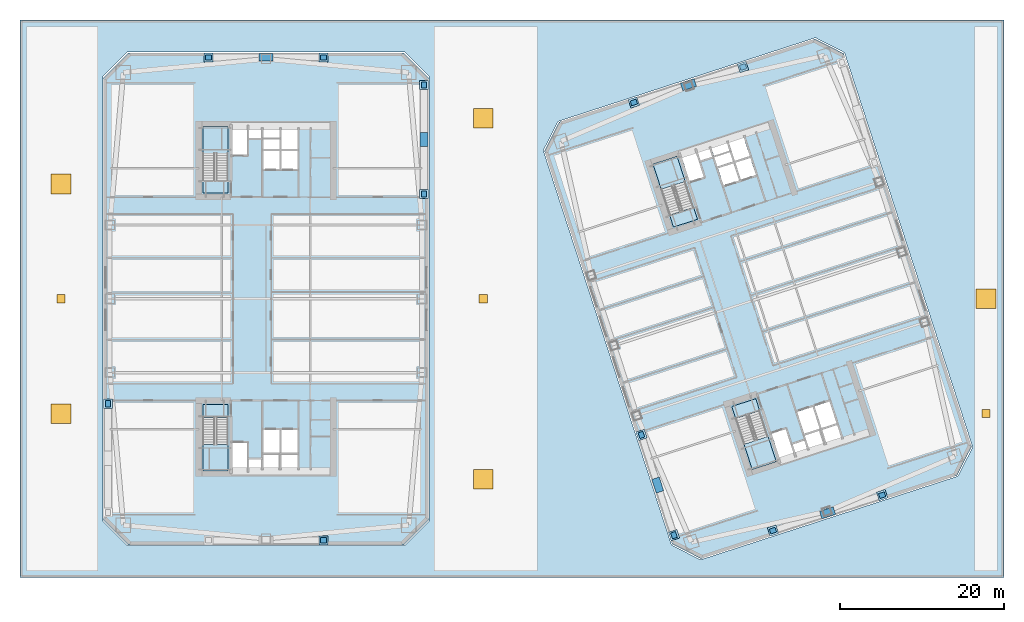
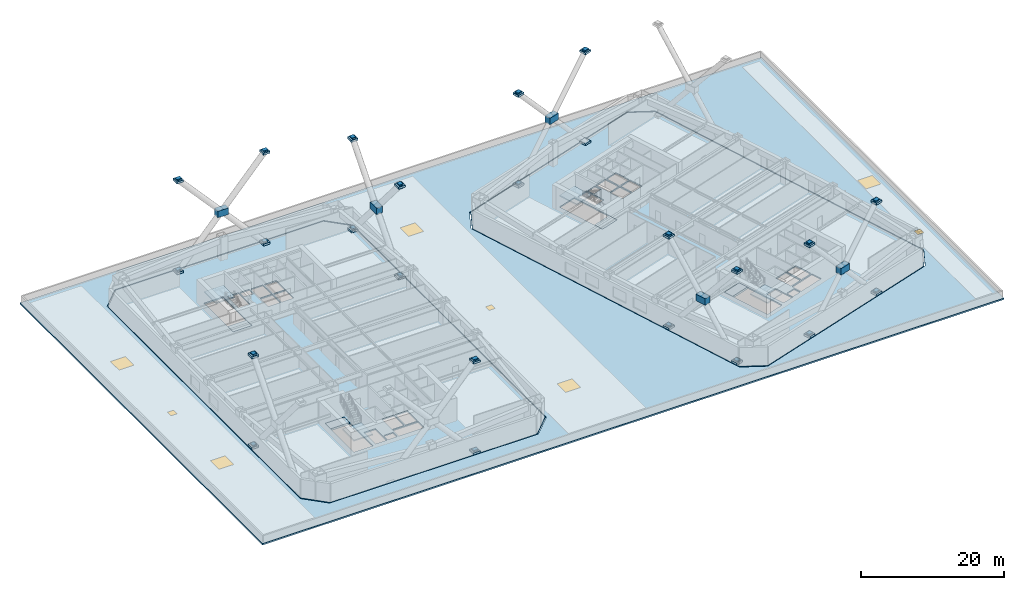
# One storey, part 3 of 20: 52 plates, 11 slabs, 5 windows, 3 doors, 8 openings, 4 elements without a shape of their own.
"""IFC4 building model written with IfcOpenShell, lengths in metres."""

from ifc_helpers import new_model, si_unit, direction, frame, origin, origin_2d, place, context, subcontext, project, spatial, polyline, rectangle, outline, extrude, material, layer, layer_set, type_object, element, fill, aggregate, save


model = new_model("IFC4")

# Units and contexts
model_context = context("Model", 3, precision=1e-05, world=origin(), true_north=direction((0.0, 1.0)))
body_context = subcontext(model_context, "Body", "Model", "MODEL_VIEW")
ifc_project = project(units=[si_unit("LENGTHUNIT", "METRE"), si_unit("AREAUNIT", "SQUARE_METRE"), si_unit("VOLUMEUNIT", "CUBIC_METRE"), si_unit("PLANEANGLEUNIT", "RADIAN"), si_unit("MASSUNIT", "GRAM", prefix="KILO")], contexts=[model_context])

# Site, building, storey
site_placement = place(None, origin())
site = spatial("IfcSite", under=ifc_project, at=site_placement, CompositionType="ELEMENT")
building_placement = place(site_placement, origin())
building = spatial("IfcBuilding", under=site, at=building_placement, Name="Qiaolan Cultural Towers", CompositionType="ELEMENT")
storey_placement = place(building_placement, frame((0.0, 0.0, 26.0)))
storey = spatial("IfcBuildingStorey", under=building, at=storey_placement, Name="L05", CompositionType="ELEMENT", Elevation=26.0)

# Plates
ifc_material_1 = material(Name="Steel Q355B", Category="steel")
ifc_layer_1 = layer(ifc_material_1, 0.035888671875)
ifc_layer_set_1 = layer_set([ifc_layer_1], Name="Steel Q355B")
plate_type_1 = type_object("IfcPlateType", Name="PL-CONN-36", PredefinedType="USERDEFINED", material=ifc_layer_set_1)
for number, where, z_axis, x_axis, name in (
    (1, (10.75, 21.199951171875, 15.330078125), (0.0, 0.0, 1.0), (0.0, 1.0, 0.0), "L05 Brace End Connection Gusset Plate GP-02-0197"),
    (2, (10.75, 21.199951171875, -0.22021484375), (0.0, 0.0, 1.0), (0.0, 1.0, 0.0), "L05 Brace End Connection Gusset Plate GP-02-0198"),
    (3, (49.25, 46.800048828125, -0.22021484375), (0.0, 0.0, 1.0), (0.0, 1.0, 0.0), "L05 Brace End Connection Gusset Plate GP-02-0200"),
    (4, (49.25, 60.050048828125, 15.330078125), (0.0, 0.0, 1.0), (0.0, 1.0, 0.0), "L05 Brace End Connection Gusset Plate GP-02-0201"),
    (5, (49.25, 60.050048828125, -0.22021484375), (0.0, 0.0, 1.0), (0.0, 1.0, 0.0), "L05 Brace End Connection Gusset Plate GP-02-0202"),
    (6, (49.25, 46.800048828125, 15.330078125), (0.0, 0.0, 1.0), (0.0, 1.0, 0.0), "L05 Brace End Connection Gusset Plate GP-02-0203"),
    (7, (37.0, 4.550048828125, 15.330078125), (0.0, 0.0, 1.0), (1.0, 0.0, 0.0), "L05 Brace End Connection Gusset Plate GP-02-0205"),
    (8, (37.0, 4.550048828125, -0.22021484375), (0.0, 0.0, 1.0), (1.0, 0.0, 0.0), "L05 Brace End Connection Gusset Plate GP-02-0206"),
    (9, (23.0, 63.449951171875, -0.22021484375), (0.0, 0.0, 1.0), (1.0, 0.0, 0.0), "L05 Brace End Connection Gusset Plate GP-02-0208"),
    (10, (37.0, 63.449951171875, 15.330078125), (0.0, 0.0, 1.0), (1.0, 0.0, 0.0), "L05 Brace End Connection Gusset Plate GP-02-0209"),
    (11, (37.0, 63.449951171875, -0.22021484375), (0.0, 0.0, 1.0), (1.0, 0.0, 0.0), "L05 Brace End Connection Gusset Plate GP-02-0210"),
    (12, (23.0, 63.449951171875, 15.330078125), (0.0, 0.0, 1.0), (1.0, 0.0, 0.0), "L05 Brace End Connection Gusset Plate GP-02-0211"),
    (13, (79.75634765625, 5.173828125, -0.22021484375), (0.0, 0.0, 1.0), (-0.309016977776, 0.951056521689, 0.0), "L05 Brace End Connection Gusset Plate GP-02-0420"),
    (14, (75.78564453125, 17.394775390625, 15.330078125), (0.0, 0.0, 1.0), (-0.309016977776, 0.951056521689, 0.0), "L05 Brace End Connection Gusset Plate GP-02-0421"),
    (15, (75.78564453125, 17.394775390625, -0.22021484375), (0.0, 0.0, 1.0), (-0.309016977776, 0.951056521689, 0.0), "L05 Brace End Connection Gusset Plate GP-02-0422"),
    (16, (79.75634765625, 5.173828125, 15.330078125), (0.0, 0.0, 1.0), (-0.309016977776, 0.951056521689, 0.0), "L05 Brace End Connection Gusset Plate GP-02-0423"),
    (17, (91.8251953125, 5.73046875, -0.22021484375), (0.0, 0.0, 1.0), (0.951056510902, 0.309017010974, 0.0), "L05 Brace End Connection Gusset Plate GP-02-0428"),
    (18, (105.139892578125, 10.056640625, 15.330078125), (0.0, 0.0, 1.0), (0.951056510902, 0.309017010974, 0.0), "L05 Brace End Connection Gusset Plate GP-02-0429"),
    (19, (105.139892578125, 10.056640625, -0.22021484375), (0.0, 0.0, 1.0), (0.951056510902, 0.309017010974, 0.0), "L05 Brace End Connection Gusset Plate GP-02-0430"),
    (20, (91.8251953125, 5.73046875, 15.330078125), (0.0, 0.0, 1.0), (0.951056510902, 0.309017010974, 0.0), "L05 Brace End Connection Gusset Plate GP-02-0431"),
    (21, (74.860107421875, 57.943359375, -0.22021484375), (0.0, 0.0, 1.0), (0.951056510902, 0.309017010974, 0.0), "L05 Brace End Connection Gusset Plate GP-02-0432"),
    (22, (88.1748046875, 62.26953125, 15.330078125), (0.0, 0.0, 1.0), (0.951056510902, 0.309017010974, 0.0), "L05 Brace End Connection Gusset Plate GP-02-0433"),
    (23, (74.860107421875, 57.943359375, 15.330078125), (0.0, 0.0, 1.0), (0.951056510902, 0.309017010974, 0.0), "L05 Brace End Connection Gusset Plate GP-02-0435"),
):
    element("IfcPlate", number, at=place(storey_placement, frame(where, z_axis=z_axis, x_axis=x_axis)), inside=storey, type_object=plate_type_1, Name=name, ObjectType="GUSSET_PLATE", PredefinedType="USERDEFINED", context=body_context, shape_type="SweptSolid", body=[
        extrude(rectangle(XDim=0.739990234375, YDim=0.6201171875, at=origin_2d()), origin(), (0.0, 0.0, 1.0), 0.739990234375),
    ])
ifc_material_2 = material(Name="Steel Q355B", Category="steel")
ifc_layer_2 = layer(ifc_material_2, 0.030029296875)
ifc_layer_set_2 = layer_set([ifc_layer_2], Name="Steel Q355B")
plate_type_2 = type_object("IfcPlateType", Name="PL-ENDCAP-30", PredefinedType="USERDEFINED", material=ifc_layer_set_2)
for number, where, z_axis, x_axis, name in (
    (24, (10.75, 21.199951171875, -0.025146484375), (0.0, 0.0, 1.0), (0.0, 1.0, 0.0), "Hollow Brace End Seal Cap Plate CP-01"),
    (25, (10.75, 21.199951171875, 15.52490234375), (0.0, 0.0, 1.0), (0.0, 1.0, 0.0), "Hollow Brace End Seal Cap Plate CP-01"),
    (26, (49.25, 46.800048828125, -0.025146484375), (0.0, 0.0, 1.0), (0.0, 1.0, 0.0), "Hollow Brace End Seal Cap Plate CP-01"),
    (27, (49.25, 60.050048828125, -0.025146484375), (0.0, 0.0, 1.0), (0.0, 1.0, 0.0), "Hollow Brace End Seal Cap Plate CP-01"),
    (28, (49.25, 46.800048828125, 15.52490234375), (0.0, 0.0, 1.0), (0.0, 1.0, 0.0), "Hollow Brace End Seal Cap Plate CP-01"),
    (29, (49.25, 60.050048828125, 15.52490234375), (0.0, 0.0, 1.0), (0.0, 1.0, 0.0), "Hollow Brace End Seal Cap Plate CP-01"),
    (30, (37.0, 4.550048828125, -0.025146484375), (0.0, 0.0, 1.0), (1.0, 0.0, 0.0), "Hollow Brace End Seal Cap Plate CP-01"),
    (31, (37.0, 4.550048828125, 15.52490234375), (0.0, 0.0, 1.0), (1.0, 0.0, 0.0), "Hollow Brace End Seal Cap Plate CP-01"),
    (32, (23.0, 63.449951171875, -0.025146484375), (0.0, 0.0, 1.0), (1.0, 0.0, 0.0), "Hollow Brace End Seal Cap Plate CP-01"),
    (33, (37.0, 63.449951171875, -0.025146484375), (0.0, 0.0, 1.0), (1.0, 0.0, 0.0), "Hollow Brace End Seal Cap Plate CP-01"),
    (34, (23.0, 63.449951171875, 15.52490234375), (0.0, 0.0, 1.0), (1.0, 0.0, 0.0), "Hollow Brace End Seal Cap Plate CP-01"),
    (35, (37.0, 63.449951171875, 15.52490234375), (0.0, 0.0, 1.0), (1.0, 0.0, 0.0), "Hollow Brace End Seal Cap Plate CP-01"),
    (36, (79.75634765625, 5.173828125, -0.025146484375), (0.0, 0.0, 1.0), (-0.309016994375, 0.951056516295, 0.0), "Hollow Brace End Seal Cap Plate CP-01"),
    (37, (75.78564453125, 17.394775390625, -0.025146484375), (0.0, 0.0, 1.0), (-0.309016994375, 0.951056516295, 0.0), "Hollow Brace End Seal Cap Plate CP-01"),
    (38, (79.75634765625, 5.173828125, 15.52490234375), (0.0, 0.0, 1.0), (-0.309016994375, 0.951056516295, 0.0), "Hollow Brace End Seal Cap Plate CP-01"),
    (39, (75.78564453125, 17.394775390625, 15.52490234375), (0.0, 0.0, 1.0), (-0.309016994375, 0.951056516295, 0.0), "Hollow Brace End Seal Cap Plate CP-01"),
    (40, (91.8251953125, 5.73046875, -0.025146484375), (0.0, 0.0, 1.0), (0.951056516295, 0.309016994375, 0.0), "Hollow Brace End Seal Cap Plate CP-01"),
    (41, (105.139892578125, 10.056640625, -0.025146484375), (0.0, 0.0, 1.0), (0.951056516295, 0.309016994375, 0.0), "Hollow Brace End Seal Cap Plate CP-01"),
    (42, (91.8251953125, 5.73046875, 15.52490234375), (0.0, 0.0, 1.0), (0.951056516295, 0.309016994375, 0.0), "Hollow Brace End Seal Cap Plate CP-01"),
    (43, (105.139892578125, 10.056640625, 15.52490234375), (0.0, 0.0, 1.0), (0.951056516295, 0.309016994375, 0.0), "Hollow Brace End Seal Cap Plate CP-01"),
    (44, (74.860107421875, 57.943359375, -0.025146484375), (0.0, 0.0, 1.0), (0.951056516295, 0.309016994375, 0.0), "Hollow Brace End Seal Cap Plate CP-01"),
    (45, (88.1748046875, 62.26953125, -0.025146484375), (0.0, 0.0, 1.0), (0.951056516295, 0.309016994375, 0.0), "Hollow Brace End Seal Cap Plate CP-01"),
    (46, (74.860107421875, 57.943359375, 15.52490234375), (0.0, 0.0, 1.0), (0.951056516295, 0.309016994375, 0.0), "Hollow Brace End Seal Cap Plate CP-01"),
    (47, (88.1748046875, 62.26953125, 15.52490234375), (0.0, 0.0, 1.0), (0.951056516295, 0.309016994375, 0.0), "Hollow Brace End Seal Cap Plate CP-01"),
):
    element("IfcPlate", number, at=place(storey_placement, frame(where, z_axis=z_axis, x_axis=x_axis)), inside=storey, type_object=plate_type_2, Name=name, ObjectType="BASE_PLATE", PredefinedType="USERDEFINED", context=body_context, shape_type="SweptSolid", body=[
        extrude(rectangle(XDim=1.10009765625, YDim=1.10009765625, at=origin_2d()), origin(), (0.0, 0.0, 1.0), 0.35009765625),
    ])
ifc_material_3 = material(Name="Steel Q390GJB", Category="steel")
ifc_layer_3 = layer(ifc_material_3, 0.0419921875)
ifc_layer_set_3 = layer_set([ifc_layer_3], Name="Steel Q390GJB")
plate_type_3 = type_object("IfcPlateType", Name="PL-NODE-ND01", PredefinedType="USERDEFINED", material=ifc_layer_set_3)
plate_1_placement = place(storey_placement, frame((81.517578125, 60.1064453125, 7.375), z_axis=(0.0, 0.0, 1.0), x_axis=(0.951056516295, 0.309016994375, 0.0)))
element("IfcPlate", 48, at=plate_1_placement, inside=storey, type_object=plate_type_3, Name="Perimeter Frame Gusset Node Assembly ND-01", ObjectType="GUSSET_PLATE", PredefinedType="USERDEFINED", context=body_context, shape_type="SweptSolid", body=[
    extrude(rectangle(XDim=1.760009765625, YDim=0.9599609375, at=origin_2d()), origin(), (0.0, 0.0, 1.0), 1.10009765625),
])
ifc_material_4 = material(Name="Steel Q390GJB", Category="steel")
ifc_layer_4 = layer(ifc_material_4, 0.0458984375)
ifc_layer_set_4 = layer_set([ifc_layer_4], Name="Steel Q390GJB")
plate_type_4 = type_object("IfcPlateType", Name="PL-NODE-ND03", PredefinedType="USERDEFINED", material=ifc_layer_set_4)
plate_2_placement = place(storey_placement, frame((49.25, 53.425048828125, 7.375), z_axis=(0.0, 0.0, 1.0), x_axis=(0.0, 1.0, 0.0)))
element("IfcPlate", 49, at=plate_2_placement, inside=storey, type_object=plate_type_4, Name="Perimeter Frame Gusset Node Assembly ND-03", ObjectType="GUSSET_PLATE", PredefinedType="USERDEFINED", context=body_context, shape_type="SweptSolid", body=[
    extrude(rectangle(XDim=1.760009765625, YDim=0.9599609375, at=origin_2d()), origin(), (0.0, 0.0, 1.0), 1.10009765625),
])
ifc_material_5 = material(Name="Steel Q390GJB", Category="steel")
ifc_layer_5 = layer(ifc_material_5, 0.0419921875)
ifc_layer_set_5 = layer_set([ifc_layer_5], Name="Steel Q390GJB")
plate_type_5 = type_object("IfcPlateType", Name="PL-NODE-ND05", PredefinedType="USERDEFINED", material=ifc_layer_set_5)
plate_3_placement = place(storey_placement, frame((30.0, 63.449951171875, 7.375), z_axis=(0.0, 0.0, 1.0), x_axis=(1.0, 0.0, 0.0)))
element("IfcPlate", 50, at=plate_3_placement, inside=storey, type_object=plate_type_5, Name="Perimeter Frame Gusset Node Assembly ND-05", ObjectType="GUSSET_PLATE", PredefinedType="USERDEFINED", context=body_context, shape_type="SweptSolid", body=[
    extrude(rectangle(XDim=1.760009765625, YDim=0.9599609375, at=origin_2d()), origin(), (0.0, 0.0, 1.0), 1.10009765625),
])
ifc_material_6 = material(Name="Steel Q390GJB", Category="steel")
ifc_layer_6 = layer(ifc_material_6, 0.0439453125)
ifc_layer_set_6 = layer_set([ifc_layer_6], Name="Steel Q390GJB")
plate_type_6 = type_object("IfcPlateType", Name="PL-NODE-ND10", PredefinedType="USERDEFINED", material=ifc_layer_set_6)
plate_4_placement = place(storey_placement, frame((77.77099609375, 11.2841796875, 7.375), z_axis=(0.0, 0.0, 1.0), x_axis=(-0.309016994375, 0.951056516295, 0.0)))
element("IfcPlate", 51, at=plate_4_placement, inside=storey, type_object=plate_type_6, Name="Perimeter Frame Gusset Node Assembly ND-10", ObjectType="GUSSET_PLATE", PredefinedType="USERDEFINED", context=body_context, shape_type="SweptSolid", body=[
    extrude(rectangle(XDim=1.760009765625, YDim=0.9599609375, at=origin_2d()), origin(), (0.0, 0.0, 1.0), 1.10009765625),
])
ifc_material_7 = material(Name="Steel Q390GJB", Category="steel")
ifc_layer_7 = layer(ifc_material_7, 0.0400390625)
ifc_layer_set_7 = layer_set([ifc_layer_7], Name="Steel Q390GJB")
plate_type_7 = type_object("IfcPlateType", Name="PL-NODE-ND12", PredefinedType="USERDEFINED", material=ifc_layer_set_7)
plate_5_placement = place(storey_placement, frame((98.482421875, 7.8935546875, 7.375), z_axis=(0.0, 0.0, 1.0), x_axis=(0.951056516295, 0.309016994375, 0.0)))
element("IfcPlate", 52, at=plate_5_placement, inside=storey, type_object=plate_type_7, Name="Perimeter Frame Gusset Node Assembly ND-12", ObjectType="GUSSET_PLATE", PredefinedType="USERDEFINED", context=body_context, shape_type="SweptSolid", body=[
    extrude(rectangle(XDim=1.760009765625, YDim=0.9599609375, at=origin_2d()), origin(), (0.0, 0.0, 1.0), 1.10009765625),
])

# Slab, openings, doors, windows
ifc_material_8 = material(Name="Concrete C45", Category="concrete")
ifc_layer_8 = layer(ifc_material_8, 0.25)
ifc_layer_set_8 = layer_set([ifc_layer_8], Name="Concrete C45")
slab_type_1 = type_object("IfcSlabType", Name="SL-POD-ROOF-250", PredefinedType="ROOF", material=ifc_layer_set_8)
slab_1_placement = place(storey_placement, frame((0.0, 0.0, -0.25)))
slab_1 = element("IfcSlab", 53, at=slab_1_placement, inside=storey, type_object=slab_type_1, Name="Podium Main Roof Deck Slab", PredefinedType="ROOF", context=body_context, shape_type="SweptSolid", body=[
    extrude(outline(polyline([(0.0, 0.0), (120.0, 0.0), (120.0, 68.0), (0.0, 68.0), (0.0, 0.0)]), holes=[polyline([(10.10009765625, 6.89990234375), (10.10009765625, 61.10009765625), (13.10009765625, 64.10009765625), (46.89990234375, 64.10009765625), (49.89990234375, 61.10009765625), (49.89990234375, 6.89990234375), (46.89990234375, 3.89990234375), (13.10009765625, 3.89990234375), (10.10009765625, 6.89990234375)]), polyline([(79.462646484375, 3.97412109375), (63.826416015625, 52.09765625), (65.624267578125, 55.6259765625), (97.009033203125, 65.823486328125), (100.537353515625, 64.02587890625), (116.173583984375, 15.90234375), (114.375732421875, 12.3740234375), (82.990966796875, 2.176513671875), (79.462646484375, 3.97412109375)])]), origin(), (0.0, 0.0, 1.0), 0.25),
])
opening_1_placement = place(slab_1_placement, frame((56.5, 12.0, 0.0)))
opening_1 = element("IfcOpeningElement", 54, at=opening_1_placement, cuts=slab_1, Name="Opening SK-01", PredefinedType="OPENING", context=body_context, shape_type="SweptSolid", body=[
    extrude(rectangle(XDim=2.39990234375, YDim=2.39990234375, at=origin_2d()), origin(), (0.0, 0.0, 1.0), 0.25),
])
opening_2_placement = place(slab_1_placement, frame((56.5, 56.0, 0.0)))
opening_2 = element("IfcOpeningElement", 55, at=opening_2_placement, cuts=slab_1, Name="Opening SK-01", PredefinedType="OPENING", context=body_context, shape_type="SweptSolid", body=[
    extrude(rectangle(XDim=2.39990234375, YDim=2.39990234375, at=origin_2d()), origin(), (0.0, 0.0, 1.0), 0.25),
])
opening_3_placement = place(slab_1_placement, frame((5.0, 20.0, 0.0)))
opening_3 = element("IfcOpeningElement", 56, at=opening_3_placement, cuts=slab_1, Name="Opening SK-01", PredefinedType="OPENING", context=body_context, shape_type="SweptSolid", body=[
    extrude(rectangle(XDim=2.39990234375, YDim=2.39990234375, at=origin_2d()), origin(), (0.0, 0.0, 1.0), 0.25),
])
opening_4_placement = place(slab_1_placement, frame((5.0, 48.0, 0.0)))
opening_4 = element("IfcOpeningElement", 57, at=opening_4_placement, cuts=slab_1, Name="Opening SK-01", PredefinedType="OPENING", context=body_context, shape_type="SweptSolid", body=[
    extrude(rectangle(XDim=2.39990234375, YDim=2.39990234375, at=origin_2d()), origin(), (0.0, 0.0, 1.0), 0.25),
])
opening_5_placement = place(slab_1_placement, frame((117.800048828125, 34.0, 0.0)))
opening_5 = element("IfcOpeningElement", 58, at=opening_5_placement, cuts=slab_1, Name="Opening SK-01", PredefinedType="OPENING", context=body_context, shape_type="SweptSolid", body=[
    extrude(rectangle(XDim=2.39990234375, YDim=2.39990234375, at=origin_2d()), origin(), (0.0, 0.0, 1.0), 0.25),
])
opening_6_placement = place(slab_1_placement, frame((5.0, 34.0, 0.0)))
opening_6 = element("IfcOpeningElement", 59, at=opening_6_placement, cuts=slab_1, Name="Opening RH-01", PredefinedType="OPENING", context=body_context, shape_type="SweptSolid", body=[
    extrude(rectangle(XDim=1.0, YDim=1.0, at=origin_2d()), origin(), (0.0, 0.0, 1.0), 0.25),
])
opening_7_placement = place(slab_1_placement, frame((56.5, 34.0, 0.0)))
opening_7 = element("IfcOpeningElement", 60, at=opening_7_placement, cuts=slab_1, Name="Opening RH-02", PredefinedType="OPENING", context=body_context, shape_type="SweptSolid", body=[
    extrude(rectangle(XDim=1.0, YDim=1.0, at=origin_2d()), origin(), (0.0, 0.0, 1.0), 0.25),
])
opening_8_placement = place(slab_1_placement, frame((117.800048828125, 20.0, 0.0)))
opening_8 = element("IfcOpeningElement", 61, at=opening_8_placement, cuts=slab_1, Name="Opening RH-03", PredefinedType="OPENING", context=body_context, shape_type="SweptSolid", body=[
    extrude(rectangle(XDim=1.0, YDim=1.0, at=origin_2d()), origin(), (0.0, 0.0, 1.0), 0.25),
])
ifc_material_9 = material(Name="Insulated Aluminium Roof Access Hatch", Category="aluminium")
door_type = type_object("IfcDoorType", Name="DR-HATCH-1000", OperationType="NOTDEFINED", PredefinedType="TRAPDOOR", material=ifc_material_9)
door_1_placement = place(opening_6_placement, frame((0.0, 0.0, 0.199951171875)))
door_1 = element("IfcDoor", 62, at=door_1_placement, inside=storey, type_object=door_type, Name="Podium Maintenance Roof Access Hatch RH-01", OperationType="SINGLE_SWING_LEFT", OverallHeight=1.0, OverallWidth=1.0, PredefinedType="TRAPDOOR", context=body_context, shape_type="SweptSolid", body=[
    extrude(rectangle(XDim=1.0, YDim=1.0, at=origin_2d()), origin(), (0.0, 0.0, 1.0), 0.050048828125),
])
fill(opening_6, door_1)
door_2_placement = place(opening_7_placement, frame((0.0, 0.0, 0.199951171875)))
door_2 = element("IfcDoor", 63, at=door_2_placement, inside=storey, type_object=door_type, Name="Podium Maintenance Roof Access Hatch RH-02", OperationType="SINGLE_SWING_LEFT", OverallHeight=1.0, OverallWidth=1.0, PredefinedType="TRAPDOOR", context=body_context, shape_type="SweptSolid", body=[
    extrude(rectangle(XDim=1.0, YDim=1.0, at=origin_2d()), origin(), (0.0, 0.0, 1.0), 0.050048828125),
])
fill(opening_7, door_2)
door_3_placement = place(opening_8_placement, frame((0.0, 0.0, 0.199951171875)))
door_3 = element("IfcDoor", 64, at=door_3_placement, inside=storey, type_object=door_type, Name="Podium Maintenance Roof Access Hatch RH-03", OperationType="SINGLE_SWING_LEFT", OverallHeight=1.0, OverallWidth=1.0, PredefinedType="TRAPDOOR", context=body_context, shape_type="SweptSolid", body=[
    extrude(rectangle(XDim=1.0, YDim=1.0, at=origin_2d()), origin(), (0.0, 0.0, 1.0), 0.050048828125),
])
fill(opening_8, door_3)
ifc_material_10 = material(Name="Thermally Broken Aluminium Triple Low-E Glazing", Category="aluminium")
window_type = type_object("IfcWindowType", Name="WN-SKYLIGHT", PartitioningType="SINGLE_PANEL", PredefinedType="SKYLIGHT", material=ifc_material_10)
window_1_placement = place(opening_1_placement, frame((0.0, 0.0, 0.199951171875)))
window_1 = element("IfcWindow", 65, at=window_1_placement, inside=storey, type_object=window_type, Name="Podium Concourse Laminated Roof Skylight SK-01", OverallHeight=2.39990234375, OverallWidth=2.39990234375, PartitioningType="SINGLE_PANEL", PredefinedType="SKYLIGHT", context=body_context, shape_type="SweptSolid", body=[
    extrude(rectangle(XDim=2.39990234375, YDim=2.39990234375, at=origin_2d()), origin(), (0.0, 0.0, 1.0), 0.050048828125),
])
fill(opening_1, window_1)
window_2_placement = place(opening_2_placement, frame((0.0, 0.0, 0.199951171875)))
window_2 = element("IfcWindow", 66, at=window_2_placement, inside=storey, type_object=window_type, Name="Podium Concourse Laminated Roof Skylight SK-02", OverallHeight=2.39990234375, OverallWidth=2.39990234375, PartitioningType="SINGLE_PANEL", PredefinedType="SKYLIGHT", context=body_context, shape_type="SweptSolid", body=[
    extrude(rectangle(XDim=2.39990234375, YDim=2.39990234375, at=origin_2d()), origin(), (0.0, 0.0, 1.0), 0.050048828125),
])
fill(opening_2, window_2)
window_3_placement = place(opening_3_placement, frame((0.0, 0.0, 0.199951171875)))
window_3 = element("IfcWindow", 67, at=window_3_placement, inside=storey, type_object=window_type, Name="Podium Concourse Laminated Roof Skylight SK-03", OverallHeight=2.39990234375, OverallWidth=2.39990234375, PartitioningType="SINGLE_PANEL", PredefinedType="SKYLIGHT", context=body_context, shape_type="SweptSolid", body=[
    extrude(rectangle(XDim=2.39990234375, YDim=2.39990234375, at=origin_2d()), origin(), (0.0, 0.0, 1.0), 0.050048828125),
])
fill(opening_3, window_3)
window_4_placement = place(opening_4_placement, frame((0.0, 0.0, 0.199951171875)))
window_4 = element("IfcWindow", 68, at=window_4_placement, inside=storey, type_object=window_type, Name="Podium Concourse Laminated Roof Skylight SK-04", OverallHeight=2.39990234375, OverallWidth=2.39990234375, PartitioningType="SINGLE_PANEL", PredefinedType="SKYLIGHT", context=body_context, shape_type="SweptSolid", body=[
    extrude(rectangle(XDim=2.39990234375, YDim=2.39990234375, at=origin_2d()), origin(), (0.0, 0.0, 1.0), 0.050048828125),
])
fill(opening_4, window_4)
window_5_placement = place(opening_5_placement, frame((0.0, 0.0, 0.199951171875)))
window_5 = element("IfcWindow", 69, at=window_5_placement, inside=storey, type_object=window_type, Name="Podium Concourse Laminated Roof Skylight SK-05", OverallHeight=2.39990234375, OverallWidth=2.39990234375, PartitioningType="SINGLE_PANEL", PredefinedType="SKYLIGHT", context=body_context, shape_type="SweptSolid", body=[
    extrude(rectangle(XDim=2.39990234375, YDim=2.39990234375, at=origin_2d()), origin(), (0.0, 0.0, 1.0), 0.050048828125),
])
fill(opening_5, window_5)

# Stair, slab
ifc_material_11 = material(Name="Concrete C45", Category="concrete")
stair_type = type_object("IfcStairType", Name="STR-CORE-1500", PredefinedType="HALF_TURN_STAIR", material=ifc_material_11)
stair_1_placement = place(storey_placement, origin())
stair_1 = element("IfcStair", 70, at=stair_1_placement, inside=storey, type_object=stair_type, Name="L05 Smokeproof Exit Stair ST-W1", PredefinedType="HALF_TURN_STAIR")
ifc_material_12 = material(Name="Concrete C45", Category="concrete")
ifc_layer_9 = layer(ifc_material_12, 0.199951171875)
ifc_layer_set_9 = layer_set([ifc_layer_9], Name="Concrete C45")
slab_type_2 = type_object("IfcSlabType", Name="SL-STAIR-LAND", PredefinedType="LANDING", material=ifc_layer_set_9)
slab_2_placement = place(storey_placement, frame((0.0, 0.0, 1.800048828125)))
slab_2 = element("IfcSlab", 71, at=slab_2_placement, type_object=slab_type_2, Name="ST-W1 landing 1", PredefinedType="LANDING", context=body_context, shape_type="SweptSolid", body=[
    extrude(outline(polyline([(22.300048828125, 16.251220703125), (22.300048828125, 13.0), (25.3798828125, 13.0), (25.3798828125, 16.251220703125), (22.300048828125, 16.251220703125)])), origin(), (0.0, 0.0, 1.0), 0.199951171875),
])
aggregate(stair_1, [slab_2])

stair_2_placement = place(storey_placement, origin())
stair_2 = element("IfcStair", 72, at=stair_2_placement, inside=storey, type_object=stair_type, Name="L05 Smokeproof Exit Stair ST-W2", PredefinedType="HALF_TURN_STAIR")
slab_3_placement = place(storey_placement, frame((0.0, 0.0, 1.800048828125)))
slab_3 = element("IfcSlab", 73, at=slab_3_placement, type_object=slab_type_2, Name="ST-W2 landing 1", PredefinedType="LANDING", context=body_context, shape_type="SweptSolid", body=[
    extrude(outline(polyline([(25.3798828125, 51.748779296875), (25.3798828125, 55.0), (22.300048828125, 55.0), (22.300048828125, 51.748779296875), (25.3798828125, 51.748779296875)])), origin(), (0.0, 0.0, 1.0), 0.199951171875),
])
aggregate(stair_2, [slab_3])

stair_3_placement = place(storey_placement, origin())
stair_3 = element("IfcStair", 74, at=stair_3_placement, inside=storey, type_object=stair_type, Name="L05 Smokeproof Exit Stair ST-E1", PredefinedType="HALF_TURN_STAIR")
slab_4_placement = place(storey_placement, frame((0.0, 0.0, 1.800048828125)))
slab_4 = element("IfcSlab", 75, at=slab_4_placement, type_object=slab_type_2, Name="ST-E1 landing 1", PredefinedType="LANDING", context=body_context, shape_type="SweptSolid", body=[
    extrude(outline(polyline([(88.299560546875, 16.25732421875), (89.30419921875, 13.165283203125), (92.2333984375, 14.116943359375), (91.228759765625, 17.209228515625), (88.299560546875, 16.25732421875)])), origin(), (0.0, 0.0, 1.0), 0.199951171875),
])
aggregate(stair_3, [slab_4])

stair_4_placement = place(storey_placement, origin())
stair_4 = element("IfcStair", 76, at=stair_4_placement, inside=storey, type_object=stair_type, Name="L05 Smokeproof Exit Stair ST-E2", PredefinedType="HALF_TURN_STAIR")
slab_5_placement = place(storey_placement, frame((0.0, 0.0, 1.800048828125)))
slab_5 = element("IfcSlab", 77, at=slab_5_placement, type_object=slab_type_2, Name="ST-E2 landing 1", PredefinedType="LANDING", context=body_context, shape_type="SweptSolid", body=[
    extrude(outline(polyline([(81.124755859375, 48.306396484375), (80.1201171875, 51.3984375), (77.190673828125, 50.44677734375), (78.195556640625, 47.3544921875), (81.124755859375, 48.306396484375)])), origin(), (0.0, 0.0, 1.0), 0.199951171875),
])
aggregate(stair_4, [slab_5])

# Slabs
ifc_material_13 = material(Name="Concrete C40", Category="concrete")
ifc_layer_10 = layer(ifc_material_13, 0.360107421875)
ifc_layer_set_10 = layer_set([ifc_layer_10], Name="Concrete C40")
slab_type_3 = type_object("IfcSlabType", Name="SL-STFLR-360", PredefinedType="LANDING", material=ifc_layer_set_10)
slab_6_placement = place(storey_placement, frame((0.0, 0.0, -0.360107421875)))
element("IfcSlab", 78, at=slab_6_placement, inside=storey, type_object=slab_type_3, Name="L05 ST-W1 Stair Floor Landing Slab", PredefinedType="LANDING", context=body_context, shape_type="SweptSolid", body=[
    extrude(outline(polyline([(22.302001953125, 21.097900390625), (22.302001953125, 19.548583984375), (25.3779296875, 19.548583984375), (25.3779296875, 21.097900390625), (22.302001953125, 21.097900390625)])), origin(), (0.0, 0.0, 1.0), 0.360107421875),
])
slab_7_placement = place(storey_placement, frame((0.0, 0.0, -0.360107421875)))
element("IfcSlab", 79, at=slab_7_placement, inside=storey, type_object=slab_type_3, Name="L05 ST-W2 Stair Floor Landing Slab", PredefinedType="LANDING", context=body_context, shape_type="SweptSolid", body=[
    extrude(outline(polyline([(25.3779296875, 46.902099609375), (25.3779296875, 48.451416015625), (22.302001953125, 48.451416015625), (22.302001953125, 46.902099609375), (25.3779296875, 46.902099609375)])), origin(), (0.0, 0.0, 1.0), 0.360107421875),
])
slab_8_placement = place(storey_placement, frame((0.0, 0.0, -0.360107421875)))
element("IfcSlab", 80, at=slab_8_placement, inside=storey, type_object=slab_type_3, Name="L05 ST-E1 Stair Floor Landing Slab", PredefinedType="LANDING", context=body_context, shape_type="SweptSolid", body=[
    extrude(outline(polyline([(86.8037109375, 20.867431640625), (87.282470703125, 19.39404296875), (90.2080078125, 20.3447265625), (89.729248046875, 21.818115234375), (86.8037109375, 20.867431640625)])), origin(), (0.0, 0.0, 1.0), 0.360107421875),
])
slab_9_placement = place(storey_placement, frame((0.0, 0.0, -0.360107421875)))
element("IfcSlab", 81, at=slab_9_placement, inside=storey, type_object=slab_type_3, Name="L05 ST-E2 Stair Floor Landing Slab", PredefinedType="LANDING", context=body_context, shape_type="SweptSolid", body=[
    extrude(outline(polyline([(82.62060546875, 43.6962890625), (82.141845703125, 45.169677734375), (79.21630859375, 44.21923828125), (79.695068359375, 42.74560546875), (82.62060546875, 43.6962890625)])), origin(), (0.0, 0.0, 1.0), 0.360107421875),
])
ifc_material_14 = material(Name="Concrete C45", Category="concrete")
ifc_layer_11 = layer(ifc_material_14, 0.219970703125)
ifc_layer_set_11 = layer_set([ifc_layer_11], Name="Concrete C45")
slab_type_4 = type_object("IfcSlabType", Name="SL-TYP-220", PredefinedType="FLOOR", material=ifc_layer_set_11)
slab_10_placement = place(storey_placement, frame((0.0, 0.0, -0.219970703125)))
element("IfcSlab", 82, at=slab_10_placement, inside=storey, type_object=slab_type_4, Name="L05 West Tower Floor Slab", PredefinedType="FLOOR", context=body_context, shape_type="SweptSolid", body=[
    extrude(outline(polyline([(13.199951171875, 4.0), (46.800048828125, 4.0), (49.800048828125, 7.0), (49.800048828125, 61.0), (46.800048828125, 64.0), (13.199951171875, 64.0), (10.199951171875, 61.0), (10.199951171875, 7.0), (13.199951171875, 4.0)]), holes=[polyline([(22.300048828125, 21.10009765625), (22.300048828125, 13.0), (25.3798828125, 13.0), (25.3798828125, 21.10009765625), (22.300048828125, 21.10009765625)]), polyline([(25.3798828125, 46.89990234375), (25.3798828125, 55.0), (22.300048828125, 55.0), (22.300048828125, 46.89990234375), (25.3798828125, 46.89990234375)]), polyline([(25.89990234375, 13.199951171875), (27.75, 13.199951171875), (27.75, 16.449951171875), (25.89990234375, 16.449951171875), (25.89990234375, 13.199951171875)]), polyline([(27.93994140625, 13.25), (29.449951171875, 13.25), (29.449951171875, 14.419921875), (27.93994140625, 14.419921875), (27.93994140625, 13.25)]), polyline([(29.679931640625, 15.199951171875), (31.679931640625, 15.199951171875), (31.679931640625, 18.0), (29.679931640625, 18.0), (29.679931640625, 15.199951171875)]), polyline([(31.8798828125, 15.199951171875), (33.820068359375, 15.199951171875), (33.820068359375, 18.0), (31.8798828125, 18.0), (31.8798828125, 15.199951171875)]), polyline([(29.679931640625, 13.25), (33.820068359375, 13.25), (33.820068359375, 14.97998046875), (29.679931640625, 14.97998046875), (29.679931640625, 13.25)]), polyline([(25.89990234375, 51.550048828125), (27.75, 51.550048828125), (27.75, 54.800048828125), (25.89990234375, 54.800048828125), (25.89990234375, 51.550048828125)]), polyline([(27.93994140625, 53.580078125), (29.449951171875, 53.580078125), (29.449951171875, 54.75), (27.93994140625, 54.75), (27.93994140625, 53.580078125)]), polyline([(29.679931640625, 49.820068359375), (31.679931640625, 49.820068359375), (31.679931640625, 52.080078125), (29.679931640625, 52.080078125), (29.679931640625, 49.820068359375)]), polyline([(31.8798828125, 49.820068359375), (33.820068359375, 49.820068359375), (33.820068359375, 52.080078125), (31.8798828125, 52.080078125), (31.8798828125, 49.820068359375)]), polyline([(29.679931640625, 52.27001953125), (31.659912109375, 52.27001953125), (31.659912109375, 54.75), (29.679931640625, 54.75), (29.679931640625, 52.27001953125)]), polyline([(31.8798828125, 52.27001953125), (33.820068359375, 52.27001953125), (33.820068359375, 54.75), (31.8798828125, 54.75), (31.8798828125, 52.27001953125)])]), origin(), (0.0, 0.0, 1.0), 0.219970703125),
])
slab_11_placement = place(storey_placement, frame((0.0, 0.0, -0.219970703125)))
element("IfcSlab", 83, at=slab_11_placement, inside=storey, type_object=slab_type_4, Name="L05 East Tower Floor Slab", PredefinedType="FLOOR", context=body_context, shape_type="SweptSolid", body=[
    extrude(outline(polyline([(83.05517578125, 2.302490234375), (114.249755859375, 12.438232421875), (116.047607421875, 15.966552734375), (100.47314453125, 63.899658203125), (96.94482421875, 65.697509765625), (65.750244140625, 55.561767578125), (63.952392578125, 52.033447265625), (79.52685546875, 4.100341796875), (83.05517578125, 2.302490234375)]), holes=[polyline([(86.80126953125, 20.868896484375), (89.30419921875, 13.165283203125), (92.2333984375, 14.116943359375), (89.73046875, 21.820556640625), (86.80126953125, 20.868896484375)]), polyline([(82.623046875, 43.69482421875), (80.1201171875, 51.3984375), (77.190673828125, 50.44677734375), (79.69384765625, 42.7431640625), (82.623046875, 43.69482421875)]), polyline([(92.666259765625, 14.468017578125), (94.42578125, 15.03955078125), (93.42138671875, 18.130615234375), (91.661865234375, 17.558837890625), (92.666259765625, 14.468017578125)]), polyline([(94.5908203125, 15.14599609375), (96.027099609375, 15.612548828125), (95.66552734375, 16.725341796875), (94.2294921875, 16.258544921875), (94.5908203125, 15.14599609375)]), polyline([(95.643310546875, 17.5380859375), (97.54541015625, 18.15625), (96.68017578125, 20.819091796875), (94.77783203125, 20.201171875), (95.643310546875, 17.5380859375)]), polyline([(97.735595703125, 18.218017578125), (99.58056640625, 18.8173828125), (98.71533203125, 21.48046875), (96.870361328125, 20.880859375), (97.735595703125, 18.218017578125)]), polyline([(96.245849609375, 15.68359375), (100.18310546875, 16.962890625), (99.6484375, 18.608154296875), (95.711181640625, 17.328857421875), (96.245849609375, 15.68359375)]), polyline([(81.6806640625, 48.278076171875), (83.440185546875, 48.849609375), (82.435791015625, 51.940673828125), (80.67626953125, 51.368896484375), (81.6806640625, 48.278076171875)]), polyline([(82.993408203125, 50.839111328125), (84.4296875, 51.3056640625), (84.068115234375, 52.41845703125), (82.632080078125, 51.95166015625), (82.993408203125, 50.839111328125)]), polyline([(85.810302734375, 47.80078125), (87.71240234375, 48.418701171875), (87.013916015625, 50.568115234375), (85.11181640625, 49.9501953125), (85.810302734375, 47.80078125)]), polyline([(87.902587890625, 48.480712890625), (89.74755859375, 49.080078125), (89.04931640625, 51.2294921875), (87.2041015625, 50.6298828125), (87.902587890625, 48.480712890625)]), polyline([(85.05322265625, 50.130859375), (86.936279296875, 50.74267578125), (86.169921875, 53.101318359375), (84.286865234375, 52.489501953125), (85.05322265625, 50.130859375)]), polyline([(87.1455078125, 50.810791015625), (88.990478515625, 51.41015625), (88.22412109375, 53.768798828125), (86.379150390625, 53.169189453125), (87.1455078125, 50.810791015625)])]), origin(), (0.0, 0.0, 1.0), 0.219970703125),
])

save(model, "model.ifc")
